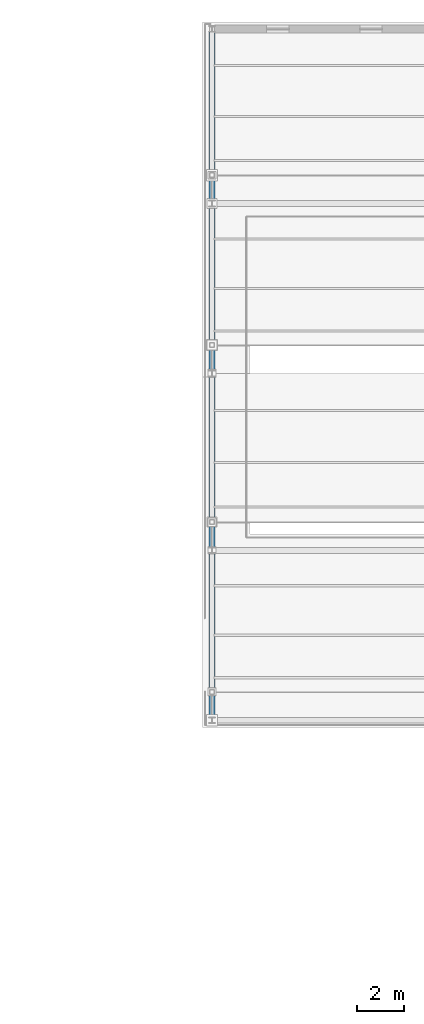
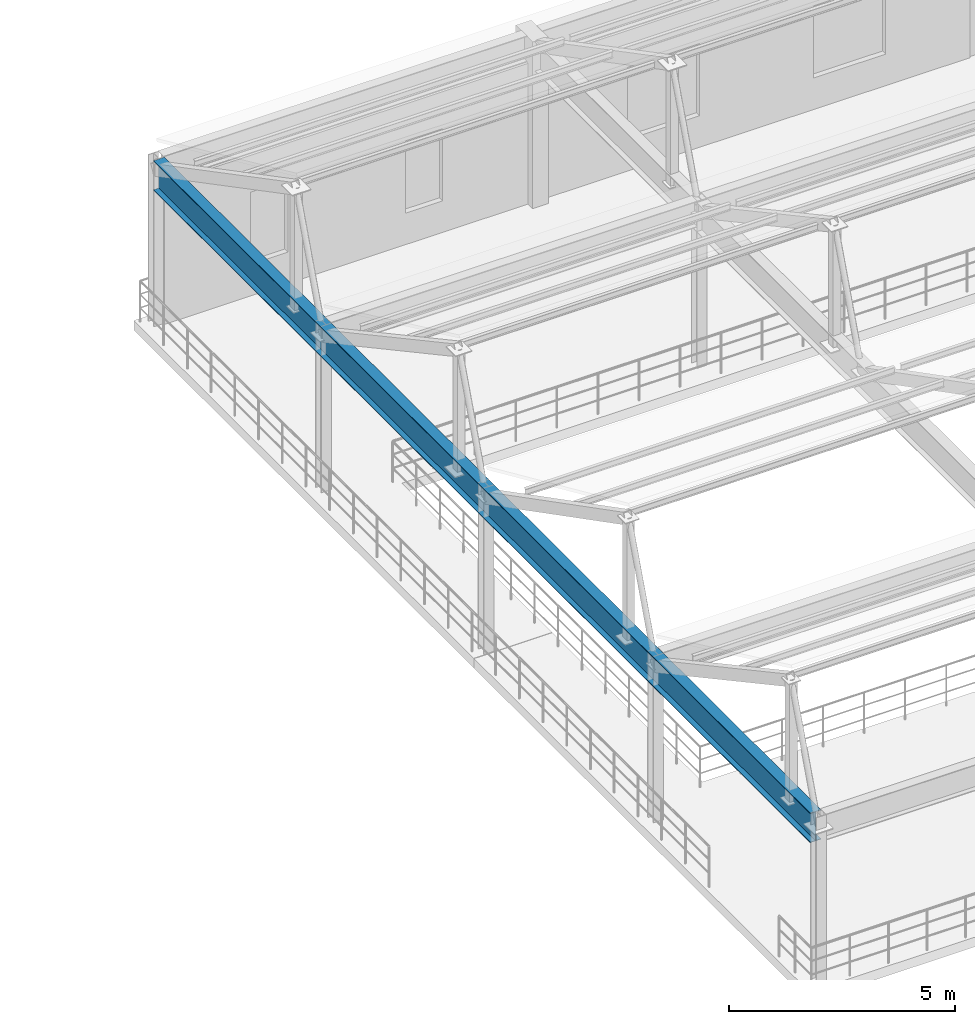
# One storey, part 55 of 112: 1 beam.
"""IFC4 building model written with IfcOpenShell, lengths in metres."""

import ifcopenshell
import ifcopenshell.guid

model = None  # the IFC model being written
_history = None  # IfcOwnerHistory: only IFC2X3 demands one
_inside = {}  # id of a spatial element -> (the spatial element, [elements in it])
_under = {}  # id of a project, library or spatial element -> (it, [spatial elements below it])
_declared = {}  # id of a project -> (the project, [libraries it declares])
_typed = {}  # id of a type object -> (the type object, [elements of that type])
_made_of = {}  # id of a material, layer set ... -> (it, [elements and type objects made of it])


def new_model(schema):
    """Start an empty IFC model of exactly this schema.

    Asked for "IFC4X3", IfcOpenShell would pick the latest addendum, in which some entities
    have other attributes; the version numbers below select the first issue.
    IFC2X3 requires an IfcOwnerHistory on every rooted entity: one is made here for all.
    """
    global model, _history
    if schema == "IFC4X3":
        model = ifcopenshell.file(schema_version=(4, 3, 0, 0))
    else:
        model = ifcopenshell.file(schema=schema)
    _inside.clear()
    _under.clear()
    _declared.clear()
    _typed.clear()
    _made_of.clear()
    _history = None
    if model.schema == "IFC2X3":
        org = make("IfcOrganization", Name="unknown")
        user = make(
            "IfcPersonAndOrganization",
            ThePerson=make("IfcPerson", FamilyName="unknown"),
            TheOrganization=org,
        )
        app = make(
            "IfcApplication",
            ApplicationDeveloper=org,
            Version="unknown",
            ApplicationFullName="unknown",
            ApplicationIdentifier="unknown",
        )
        _history = make(
            "IfcOwnerHistory",
            OwningUser=user,
            OwningApplication=app,
            ChangeAction="ADDED",
            CreationDate=0,
        )
    return model


def make(cls, **values):
    """One entity of the class cls with the attributes given. An attribute that is None is left unset."""
    return model.create_entity(
        cls, **{name: value for name, value in values.items() if value is not None}
    )


def rooted(cls, **values):
    """An entity with a GlobalId (a new one), such as an element, a storey or a relation."""
    return make(cls, GlobalId=ifcopenshell.guid.new(), OwnerHistory=_history, **values)


def si_unit(unit_type, name, prefix=None):
    """IfcSIUnit, for example si_unit("LENGTHUNIT", "METRE", prefix="MILLI")."""
    return make("IfcSIUnit", UnitType=unit_type, Prefix=prefix, Name=name)


def assignment(units):
    """IfcUnitAssignment: the units of a project."""
    return None if units is None else make("IfcUnitAssignment", Units=units)


def point(xyz):
    """IfcCartesianPoint."""
    return None if xyz is None else make("IfcCartesianPoint", Coordinates=xyz)


def direction(xyz):
    """IfcDirection."""
    return None if xyz is None else make("IfcDirection", DirectionRatios=xyz)


def frame(location, z_axis=None, x_axis=None):
    """IfcAxis2Placement3D, a coordinate frame: its origin and axes. An axis left out is left unset."""
    return make(
        "IfcAxis2Placement3D",
        Location=point(location),
        Axis=direction(z_axis),
        RefDirection=direction(x_axis),
    )


def frame_2d(location, x_axis=None):
    """IfcAxis2Placement2D, a coordinate frame in the plane: its origin and x axis."""
    return make(
        "IfcAxis2Placement2D", Location=point(location), RefDirection=direction(x_axis)
    )


def origin():
    """The frame at (0, 0, 0) with its axes left unset."""
    return frame((0.0, 0.0, 0.0))


def origin_2d():
    """The frame at (0, 0) in the plane with its x axis left unset."""
    return frame_2d((0.0, 0.0))


def place(relative_to, where):
    """IfcLocalPlacement: puts the frame where relative to a parent placement (None: the world)."""
    return make(
        "IfcLocalPlacement", PlacementRelTo=relative_to, RelativePlacement=where
    )


def context(
    kind, dimensions, precision=None, world=None, true_north=None, identifier=None
):
    """IfcGeometricRepresentationContext, for example the 3D "Model" context."""
    return make(
        "IfcGeometricRepresentationContext",
        ContextIdentifier=identifier,
        ContextType=kind,
        CoordinateSpaceDimension=dimensions,
        Precision=precision,
        WorldCoordinateSystem=world,
        TrueNorth=true_north,
    )


def subcontext(parent, identifier, kind, view, scale=None):
    """IfcGeometricRepresentationSubContext, for example "Body" below "Model"."""
    return make(
        "IfcGeometricRepresentationSubContext",
        ContextIdentifier=identifier,
        ContextType=kind,
        ParentContext=parent,
        TargetScale=scale,
        TargetView=view,
    )


def project(units=None, contexts=None):
    """IfcProject with its units and contexts."""
    return rooted(
        "IfcProject",
        Name="project",
        RepresentationContexts=contexts,
        UnitsInContext=assignment(units),
    )


def spatial(cls, under=None, at=None, **own):
    """A site, building, storey or space (cls), placed at a placement, below another one or the project."""
    s = rooted(cls, ObjectPlacement=at, **own)
    if under is not None:
        _under.setdefault(under.id(), (under, []))[1].append(s)
    return s


def profile(cls, at=None, kind="AREA", **sizes):
    """A parametric profile (cls). Its sizes go by their IFC names, for example OverallWidth=200.0."""
    return make(cls, ProfileType=kind, Position=at, **sizes)


def i_section(**sizes):
    """IfcIShapeProfileDef."""
    return profile("IfcIShapeProfileDef", **sizes)


def extrude(swept, where, along, depth):
    """IfcExtrudedAreaSolid: the profile swept, set in the frame where, extruded along a direction by depth."""
    return make(
        "IfcExtrudedAreaSolid",
        SweptArea=swept,
        Position=where,
        ExtrudedDirection=direction(along),
        Depth=depth,
    )


def shape(context_of_items, identifier, shape_type, items):
    """IfcShapeRepresentation: the items that make up one representation, for example the "Body"."""
    return make(
        "IfcShapeRepresentation",
        ContextOfItems=context_of_items,
        RepresentationIdentifier=identifier,
        RepresentationType=shape_type,
        Items=items,
    )


def material(Name=None, Category=None):
    """IfcMaterial."""
    return make("IfcMaterial", Name=Name, Category=Category)


def material_profile(
    of_material, cross_section, Name=None, Category=None, Priority=None
):
    """IfcMaterialProfile: a cross section and its material."""
    return make(
        "IfcMaterialProfile",
        Name=Name,
        Material=of_material,
        Profile=cross_section,
        Priority=Priority,
        Category=Category,
    )


def profile_set(profiles, Name=None, composite=None):
    """IfcMaterialProfileSet."""
    return make(
        "IfcMaterialProfileSet",
        Name=Name,
        MaterialProfiles=profiles,
        CompositeProfile=composite,
    )


def made_of(thing, what):
    """Note that an element or type object is made of a material, layer set ...; save() writes the relation."""
    if what is not None:
        _made_of.setdefault(what.id(), (what, []))[1].append(thing)
    return thing


def type_object(cls, material=None, **own):
    """A type object (cls), such as IfcWallType, which elements share."""
    return made_of(rooted(cls, **own), material)


def element(
    cls,
    number,
    at=None,
    inside=None,
    cuts=None,
    type_object=None,
    material=None,
    context=None,
    identifier="Body",
    shape_type=None,
    held_by="IfcProductDefinitionShape",
    body=None,
    shapes=None,
    **own,
):
    """One element of the class cls, such as IfcWall. Its Tag is "e" and its number.

    at: its placement. inside: the storey or other place that contains it. cuts: it is an
    opening in that element (IfcRelVoidsElement). A single representation is given by context,
    identifier, shape_type and body (its items); several are given by shapes. held_by: the class
    of the entity that holds the representations. save() writes the other relations.
    """
    e = rooted(cls, Tag="e%d" % number, ObjectPlacement=at, **own)
    if body is not None:
        shapes = [shape(context, identifier, shape_type, body)]
    if shapes is not None:
        e.Representation = make(held_by, Representations=shapes)
    if inside is not None:
        _inside.setdefault(inside.id(), (inside, []))[1].append(e)
    if cuts is not None:
        rooted(
            "IfcRelVoidsElement", RelatingBuildingElement=cuts, RelatedOpeningElement=e
        )
    if type_object is not None:
        _typed.setdefault(type_object.id(), (type_object, []))[1].append(e)
    return made_of(e, material)


def aggregate(whole, parts):
    """IfcRelAggregates: a whole, such as a stair, and the parts it consists of."""
    return rooted("IfcRelAggregates", RelatingObject=whole, RelatedObjects=parts)


def save(model, path):
    """Write the relations noted so far, then the file.

    IfcRelAggregates (storeys below a building ...), IfcRelContainedInSpatialStructure (elements
    in a storey), IfcRelDefinesByType, IfcRelAssociatesMaterial and IfcRelDeclares: one each for
    every whole, place, type object, material and project.
    """
    for whole, parts in _under.values():
        aggregate(whole, parts)
    for where, things in _inside.values():
        rooted(
            "IfcRelContainedInSpatialStructure",
            RelatedElements=things,
            RelatingStructure=where,
        )
    for kind, things in _typed.values():
        rooted("IfcRelDefinesByType", RelatedObjects=things, RelatingType=kind)
    for what, things in _made_of.values():
        rooted("IfcRelAssociatesMaterial", RelatedObjects=things, RelatingMaterial=what)
    for by, libraries in _declared.values():
        rooted("IfcRelDeclares", RelatingContext=by, RelatedDefinitions=libraries)
    model.write(path)


model = new_model("IFC4")

# Units and contexts
model_context = context("Model", 3, precision=1e-05, world=origin(), true_north=direction((0.0, 1.0)))
body_context = subcontext(model_context, "Body", "Model", "MODEL_VIEW")
ifc_project = project(units=[si_unit("LENGTHUNIT", "METRE"), si_unit("AREAUNIT", "SQUARE_METRE"), si_unit("VOLUMEUNIT", "CUBIC_METRE"), si_unit("PLANEANGLEUNIT", "RADIAN"), si_unit("MASSUNIT", "GRAM", prefix="KILO")], contexts=[model_context])

# Site, building, storey
site_placement = place(None, origin())
site = spatial("IfcSite", under=ifc_project, at=site_placement, CompositionType="ELEMENT")
building_placement = place(site_placement, origin())
building = spatial("IfcBuilding", under=site, at=building_placement, Name="Cinderbank Siding Concert Hall", CompositionType="ELEMENT")
storey_placement = place(building_placement, frame((0.0, 0.0, 10.199951171875)))
storey = spatial("IfcBuildingStorey", under=building, at=storey_placement, Name="L03", CompositionType="ELEMENT", Elevation=10.199951171875)

# Beam
ifc_material = material(Name="Structural steel welded plate section AS/NZS 3679.2 / AS/NZS 3678 Grade 350 (340 MPa)", Category="steel")
ifc_material_profile = material_profile(ifc_material, i_section(OverallWidth=0.27490234375, OverallDepth=0.800048828125, WebThickness=0.010009765625, FlangeThickness=0.01611328125, at=origin_2d()), Name="800WB146", Category="LoadBearing")
ifc_profile_set = profile_set([ifc_material_profile], Name="Structural steel welded plate section AS/NZS 3679.2 / AS/NZS 3678 Grade 350 (340 MPa)")
beam_type = type_object("IfcBeamType", Name="BM-WB800 800WB146", PredefinedType="BEAM", material=ifc_profile_set)
beam_placement = place(storey_placement, frame((118.39990234375, 88.719970703125, 4.080078125), z_axis=(0.0, 1.0, 0.0), x_axis=(-1.0, 0.0, 0.0)))
element("IfcBeam", 1, at=beam_placement, inside=storey, type_object=beam_type, Name="L03 Beam BM-WB800 #22", PredefinedType="BEAM", context=body_context, shape_type="SweptSolid", body=[
    extrude(i_section(OverallWidth=0.27490234375, OverallDepth=0.800048828125, WebThickness=0.010009765625, FlangeThickness=0.01611328125, at=origin_2d()), origin(), (0.0, 0.0, 1.0), 29.06005859375),
])

save(model, "model.ifc")
